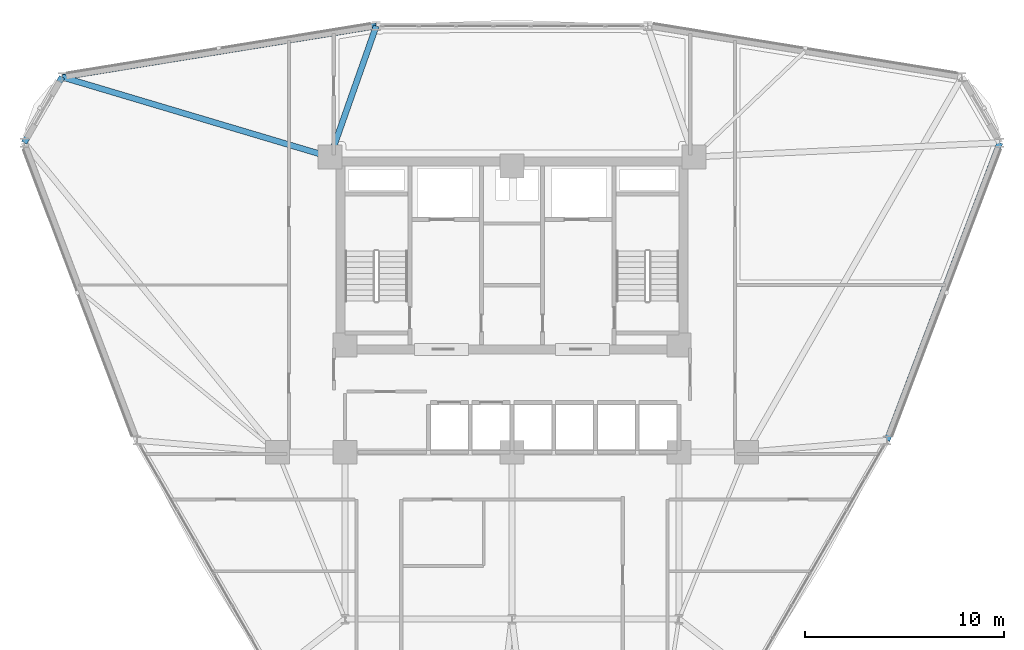
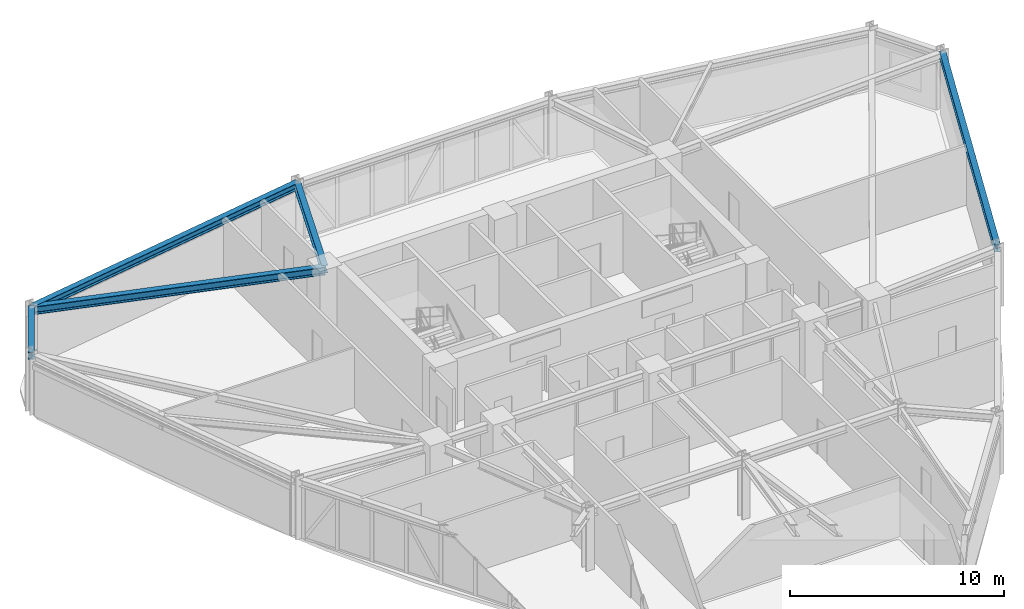
# One storey, part 7 of 17: 5 beams.
"""IFC4 building model written with IfcOpenShell, lengths in metres."""

from ifc_helpers import new_model, si_unit, derived_unit, direction, frame, origin, origin_2d, place, context, subcontext, project, spatial, i_section, extrude, source, transform, mapped, material, material_profile, profile_set, type_object, element, save


model = new_model("IFC4")

# Units and contexts
model_context = context("Model", 3, precision=1e-05, world=origin(), true_north=direction((0.0, 1.0)))
body_context = subcontext(model_context, "Body", "Model", "MODEL_VIEW")
ifc_project = project(units=[si_unit("LENGTHUNIT", "METRE"), si_unit("AREAUNIT", "SQUARE_METRE"), si_unit("VOLUMEUNIT", "CUBIC_METRE"), si_unit("PLANEANGLEUNIT", "RADIAN"), si_unit("MASSUNIT", "GRAM", prefix="KILO"), derived_unit("THERMALTRANSMITTANCEUNIT", [(si_unit("POWERUNIT", "WATT"), 1), (si_unit("LENGTHUNIT", "METRE"), -2), (si_unit("THERMODYNAMICTEMPERATUREUNIT", "KELVIN"), -1)])], contexts=[model_context])

# Site, building, storey
site_placement = place(None, origin())
site = spatial("IfcSite", under=ifc_project, at=site_placement, CompositionType="ELEMENT")
building_placement = place(site_placement, origin())
building = spatial("IfcBuilding", under=site, at=building_placement, Name="Korsvarv Bourse and Concert Hall", CompositionType="ELEMENT")
storey_placement = place(building_placement, frame((0.0, 0.0, 120.60009765625)))
storey = spatial("IfcBuildingStorey", under=building, at=storey_placement, Name="L30", CompositionType="ELEMENT", Elevation=120.60009765625)

# Beams
ifc_material = material(Name="Steel S355", Category="steel")
ifc_material_profile_1 = material_profile(ifc_material, i_section(OverallWidth=0.300048828125, OverallDepth=0.39990234375, WebThickness=0.013427734375, FlangeThickness=0.02392578125, FilletRadius=0.02099609375, at=origin_2d()), Name="HEB 400")
ifc_profile_set_1 = profile_set([ifc_material_profile_1], Name="Steel S355")
beam_type_1 = type_object("IfcBeamType", Name="BM-HEB400", PredefinedType="SPANDREL", material=ifc_profile_set_1)
shared_shape_1 = source(origin(), body_context, "Body", "SweptSolid", [
    extrude(i_section(OverallWidth=0.300048828125, OverallDepth=0.39990234375, WebThickness=0.013427734375, FlangeThickness=0.02392578125, FilletRadius=0.02099609375, at=origin_2d()), origin(), (0.0, 0.0, 1.0), 3.81591796875),
])
beam_1_placement = place(storey_placement, frame((13.3662109375, 51.270751953125, 3.199951171875), z_axis=(-0.499999364504, -0.866025770688, 0.0), x_axis=(0.866025770688, -0.499999364504, 0.0)))
element("IfcBeam", 1, at=beam_1_placement, inside=storey, type_object=beam_type_1, Name="L30 beam B-09", PredefinedType="SPANDREL", context=body_context, shape_type="MappedRepresentation", body=[
    mapped(shared_shape_1, transform((0.0, 0.0, 0.0), scale=1.0)),
])
shared_shape_2 = source(origin(), body_context, "Body", "SweptSolid", [
    extrude(i_section(OverallWidth=0.300048828125, OverallDepth=0.39990234375, WebThickness=0.013427734375, FlangeThickness=0.02392578125, FilletRadius=0.02099609375, at=origin_2d()), origin(), (0.0, 0.0, 1.0), 16.014892578125),
])
beam_2_placement = place(storey_placement, frame((29.17333984375, 53.84130859375, 3.199951171875), z_axis=(-0.98703396265, -0.160511546547, 0.0), x_axis=(0.160511546547, -0.98703396265, 0.0)))
element("IfcBeam", 2, at=beam_2_placement, inside=storey, type_object=beam_type_1, Name="L30 beam B-09", PredefinedType="SPANDREL", context=body_context, shape_type="MappedRepresentation", body=[
    mapped(shared_shape_2, transform((0.0, 0.0, 0.0), scale=1.0)),
])
shared_shape_3 = source(origin(), body_context, "Body", "SweptSolid", [
    extrude(i_section(OverallWidth=0.300048828125, OverallDepth=0.39990234375, WebThickness=0.013427734375, FlangeThickness=0.02392578125, FilletRadius=0.02099609375, at=origin_2d()), origin(), (0.0, 0.0, 1.0), 16.0146484375),
])
beam_3_placement = place(storey_placement, frame((54.8642578125, 32.991455078125, 3.199951171875), z_axis=(0.354515902653, 0.93504998517, 0.0), x_axis=(-0.93504998517, 0.354515902653, 0.0)))
element("IfcBeam", 3, at=beam_3_placement, inside=storey, type_object=beam_type_1, Name="L30 beam B-09", PredefinedType="SPANDREL", context=body_context, shape_type="MappedRepresentation", body=[
    mapped(shared_shape_3, transform((0.0, 0.0, 0.0), scale=1.0)),
])
ifc_material_profile_2 = material_profile(ifc_material, i_section(OverallWidth=0.300048828125, OverallDepth=0.449951171875, WebThickness=0.013916015625, FlangeThickness=0.02587890625, FilletRadius=0.02099609375, at=origin_2d()), Name="HEB 450")
ifc_profile_set_2 = profile_set([ifc_material_profile_2], Name="Steel S355")
beam_type_2 = type_object("IfcBeamType", Name="BM-HEB450", PredefinedType="SPANDREL", material=ifc_profile_set_2)
shared_shape_4 = source(origin(), body_context, "Body", "SweptSolid", [
    extrude(i_section(OverallWidth=0.300048828125, OverallDepth=0.449951171875, WebThickness=0.013916015625, FlangeThickness=0.02587890625, FilletRadius=0.02099609375, at=origin_2d()), origin(), (0.0, 0.0, 1.0), 6.98876953125),
])
beam_4_placement = place(storey_placement, frame((29.17333984375, 53.84130859375, 3.1748046875), z_axis=(-0.332425395901, -0.943129554282, 0.0), x_axis=(0.943129554282, -0.332425395901, 0.0)))
element("IfcBeam", 4, at=beam_4_placement, inside=storey, type_object=beam_type_2, Name="L30 beam B-08", PredefinedType="SPANDREL", context=body_context, shape_type="MappedRepresentation", body=[
    mapped(shared_shape_4, transform((0.0, 0.0, 0.0), scale=1.0)),
])
shared_shape_5 = source(origin(), body_context, "Body", "SweptSolid", [
    extrude(i_section(OverallWidth=0.300048828125, OverallDepth=0.449951171875, WebThickness=0.013916015625, FlangeThickness=0.02587890625, FilletRadius=0.02099609375, at=origin_2d()), origin(), (0.0, 0.0, 1.0), 14.070556640625),
])
beam_5_placement = place(storey_placement, frame((13.3662109375, 51.270751953125, 3.1748046875), z_axis=(0.958302516287, -0.285755642599, 0.0), x_axis=(0.285755642599, 0.958302516287, 0.0)))
element("IfcBeam", 5, at=beam_5_placement, inside=storey, type_object=beam_type_2, Name="L30 beam B-08", PredefinedType="SPANDREL", context=body_context, shape_type="MappedRepresentation", body=[
    mapped(shared_shape_5, transform((0.0, 0.0, 0.0), scale=1.0)),
])

save(model, "model.ifc")
